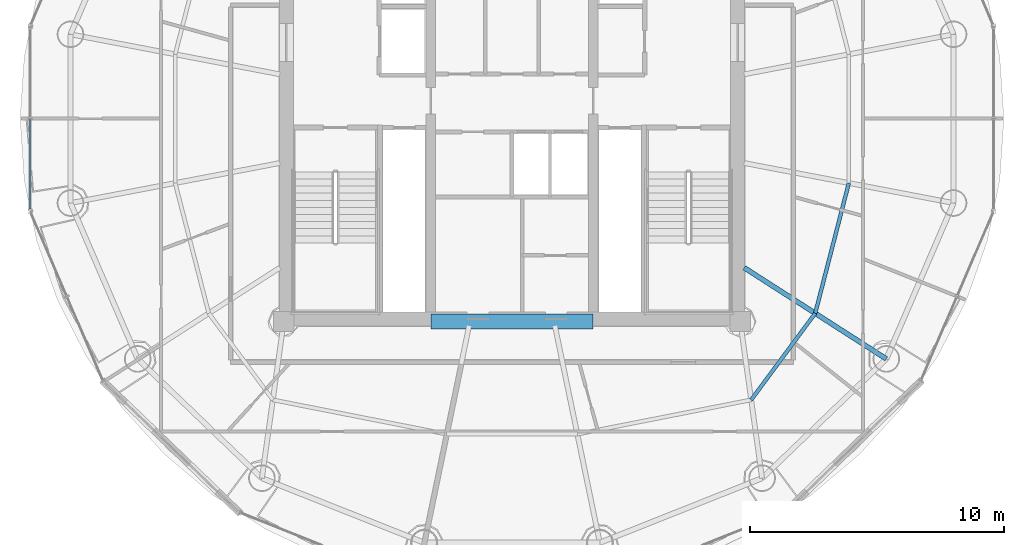
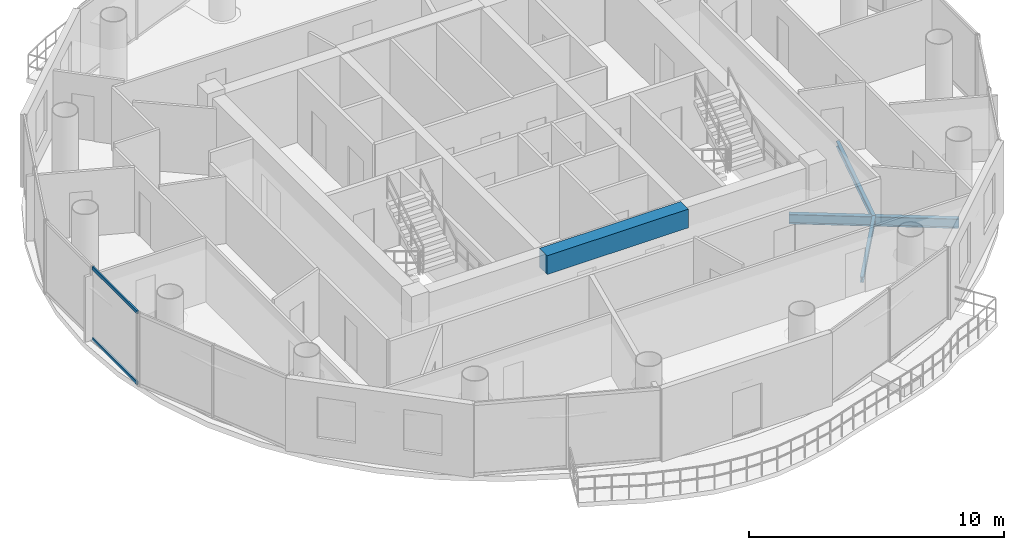
# One storey, part 6 of 21: 4 beams, 2 members, 1 element without a shape of its own.
"""IFC4 building model written with IfcOpenShell, lengths in metres."""

from ifc_helpers import new_model, si_unit, direction, frame, origin, origin_2d, place, context, subcontext, project, spatial, rectangle, hollow_rectangle, i_section, extrude, source, transform, mapped, material, material_profile, profile_set, type_object, element, aggregate, save


model = new_model("IFC4")

# Units and contexts
model_context = context("Model", 3, precision=1e-05, world=origin(), true_north=direction((-0.2419218956, 0.970295726276)))
body_context = subcontext(model_context, "Body", "Model", "MODEL_VIEW")
ifc_project = project(units=[si_unit("LENGTHUNIT", "METRE"), si_unit("AREAUNIT", "SQUARE_METRE"), si_unit("VOLUMEUNIT", "CUBIC_METRE"), si_unit("PLANEANGLEUNIT", "RADIAN"), si_unit("MASSUNIT", "GRAM", prefix="KILO")], contexts=[model_context])

# Site, building, storey
site_placement = place(None, origin())
site = spatial("IfcSite", under=ifc_project, at=site_placement, CompositionType="ELEMENT")
building_placement = place(site_placement, origin())
building = spatial("IfcBuilding", under=site, at=building_placement, Name="Cobrevalo Terracotta Tower", CompositionType="ELEMENT")
storey_placement = place(building_placement, frame((0.0, 0.0, 285.699951171875)))
storey = spatial("IfcBuildingStorey", under=building, at=storey_placement, Name="L75", CompositionType="ELEMENT", Elevation=285.699951171875)

# Beams
ifc_material_1 = material(Name="Concrete C60", Category="concrete")
ifc_material_profile_1 = material_profile(ifc_material_1, rectangle(XDim=0.60009765625, YDim=0.89990234375, at=origin_2d()), Name="RC CB 600x900")
ifc_profile_set_1 = profile_set([ifc_material_profile_1], Name="Concrete C60")
beam_type_1 = type_object("IfcBeamType", Name="Structural Beam RC CB 600x900 (Concrete C60)", PredefinedType="BEAM", material=ifc_profile_set_1)
beam_1_placement = place(storey_placement, frame((34.800048828125, 18.800048828125, 3.0400390625), z_axis=(1.0, 0.0, 0.0), x_axis=(0.0, 1.0, 0.0)))
element("IfcBeam", 1, at=beam_1_placement, inside=storey, type_object=beam_type_1, Name="L75 core coupling beam 1", PredefinedType="BEAM", context=body_context, shape_type="SweptSolid", body=[
    extrude(rectangle(XDim=0.60009765625, YDim=0.89990234375, at=origin_2d()), origin(), (0.0, 0.0, 1.0), 6.39990234375),
])
ifc_material_2 = material(Name="Steel S355", Category="steel")
ifc_material_profile_2 = material_profile(ifc_material_2, i_section(OverallWidth=0.19091796875, OverallDepth=0.4599609375, WebThickness=0.010009765625, FlangeThickness=0.01611328125, at=origin_2d()), Name="W 460x82")
ifc_profile_set_2 = profile_set([ifc_material_profile_2], Name="Steel S355")
beam_type_2 = type_object("IfcBeamType", Name="Structural Beam W 460x82 (Steel S355)", PredefinedType="BEAM", material=ifc_profile_set_2)
beam_2_placement = place(storey_placement, frame((52.758544921875, 17.32763671875, -0.489990234375), z_axis=(-0.84157615512, 0.540138477739, 0.0), x_axis=(-0.540138477739, -0.84157615512, 0.0)))
element("IfcBeam", 2, at=beam_2_placement, inside=storey, type_object=beam_type_2, Name="L75 radial floor girder 15", PredefinedType="BEAM", context=body_context, shape_type="SweptSolid", body=[
    extrude(i_section(OverallWidth=0.19091796875, OverallDepth=0.4599609375, WebThickness=0.010009765625, FlangeThickness=0.01611328125, at=origin_2d()), origin(), (0.0, 0.0, 1.0), 6.658447265625),
])
ifc_material_profile_3 = material_profile(ifc_material_2, i_section(OverallWidth=0.14794921875, OverallDepth=0.26611328125, WebThickness=0.007568359375, FlangeThickness=0.012939453125, at=origin_2d()), Name="W 250x44.8")
ifc_profile_set_3 = profile_set([ifc_material_profile_3], Name="Steel S355")
beam_type_3 = type_object("IfcBeamType", Name="Structural Joist W 250x44.8 (Steel S355)", PredefinedType="JOIST", material=ifc_profile_set_3)
beam_3_placement = place(storey_placement, frame((47.4306640625, 15.711669921875, -0.39306640625), z_axis=(0.594799916617, 0.803873783123, 0.0), x_axis=(-0.803873783123, 0.594799916617, 0.0)))
element("IfcBeam", 3, at=beam_3_placement, inside=storey, type_object=beam_type_3, Name="L75 circumferential secondary floor joist 14", PredefinedType="JOIST", context=body_context, shape_type="SweptSolid", body=[
    extrude(i_section(OverallWidth=0.14794921875, OverallDepth=0.26611328125, WebThickness=0.007568359375, FlangeThickness=0.012939453125, at=origin_2d()), origin(), (0.0, 0.0, 1.0), 4.2470703125),
])
beam_4_placement = place(storey_placement, frame((49.956787109375, 19.125732421875, -0.39306640625), z_axis=(0.249816773293, 0.968293126993, 0.0), x_axis=(-0.968293126993, 0.249816773293, 0.0)))
element("IfcBeam", 4, at=beam_4_placement, inside=storey, type_object=beam_type_3, Name="L75 circumferential secondary floor joist 15", PredefinedType="JOIST", context=body_context, shape_type="SweptSolid", body=[
    extrude(i_section(OverallWidth=0.14794921875, OverallDepth=0.26611328125, WebThickness=0.007568359375, FlangeThickness=0.012939453125, at=origin_2d()), origin(), (0.0, 0.0, 1.0), 5.3046875),
])

# Curtain wall, members
ifc_material_3 = material(Name="Anodized aluminium", Category="aluminium")
curtain_wall_type = type_object("IfcCurtainWallType", Name="Upper-tower triple-glazed penthouse curtain wall CW-U3", PredefinedType="NOTDEFINED", material=ifc_material_3)
curtain_wall_placement = place(storey_placement, origin())
curtain_wall = element("IfcCurtainWall", 5, at=curtain_wall_placement, inside=storey, type_object=curtain_wall_type, Name="L75 curtain wall CW-L75-S08", PredefinedType="NOTDEFINED")
ifc_material_profile_4 = material_profile(ifc_material_3, hollow_rectangle(XDim=0.074951171875, YDim=0.14990234375, WallThickness=0.00439453125, at=origin_2d()), Name="CWT 75x150")
ifc_profile_set_4 = profile_set([ifc_material_profile_4], Name="Anodized aluminium")
member_type = type_object("IfcMemberType", Name="Tower unitised aluminium transom 75x150", PredefinedType="USERDEFINED", material=ifc_profile_set_4)
shared_shape = source(origin(), body_context, "Body", "SweptSolid", [
    extrude(hollow_rectangle(XDim=0.074951171875, YDim=0.14990234375, WallThickness=0.00439453125, at=origin_2d()), origin(), (0.0, 0.0, 1.0), 3.5224609375),
])
member_1_placement = place(storey_placement, frame((19.002197265625, 26.760009765625, 0.050048828125), z_axis=(0.0, -1.0, 0.0), x_axis=(1.0, 0.0, 0.0)))
member_1 = element("IfcMember", 6, at=member_1_placement, type_object=member_type, Name="CW-L75-S08 transom B02-T1", ObjectType="TRANSOM", PredefinedType="USERDEFINED", context=body_context, shape_type="MappedRepresentation", body=[
    mapped(shared_shape, transform((0.0, 0.0, 0.0), scale=1.0)),
])
member_2_placement = place(storey_placement, frame((19.002197265625, 26.760009765625, 3.43994140625), z_axis=(0.0, -1.0, 0.0), x_axis=(1.0, 0.0, 0.0)))
member_2 = element("IfcMember", 7, at=member_2_placement, type_object=member_type, Name="CW-L75-S08 transom B02-T2", ObjectType="TRANSOM", PredefinedType="USERDEFINED", context=body_context, shape_type="MappedRepresentation", body=[
    mapped(shared_shape, transform((0.0, 0.0, 0.0), scale=1.0)),
])
aggregate(curtain_wall, [member_1, member_2])

save(model, "model.ifc")
